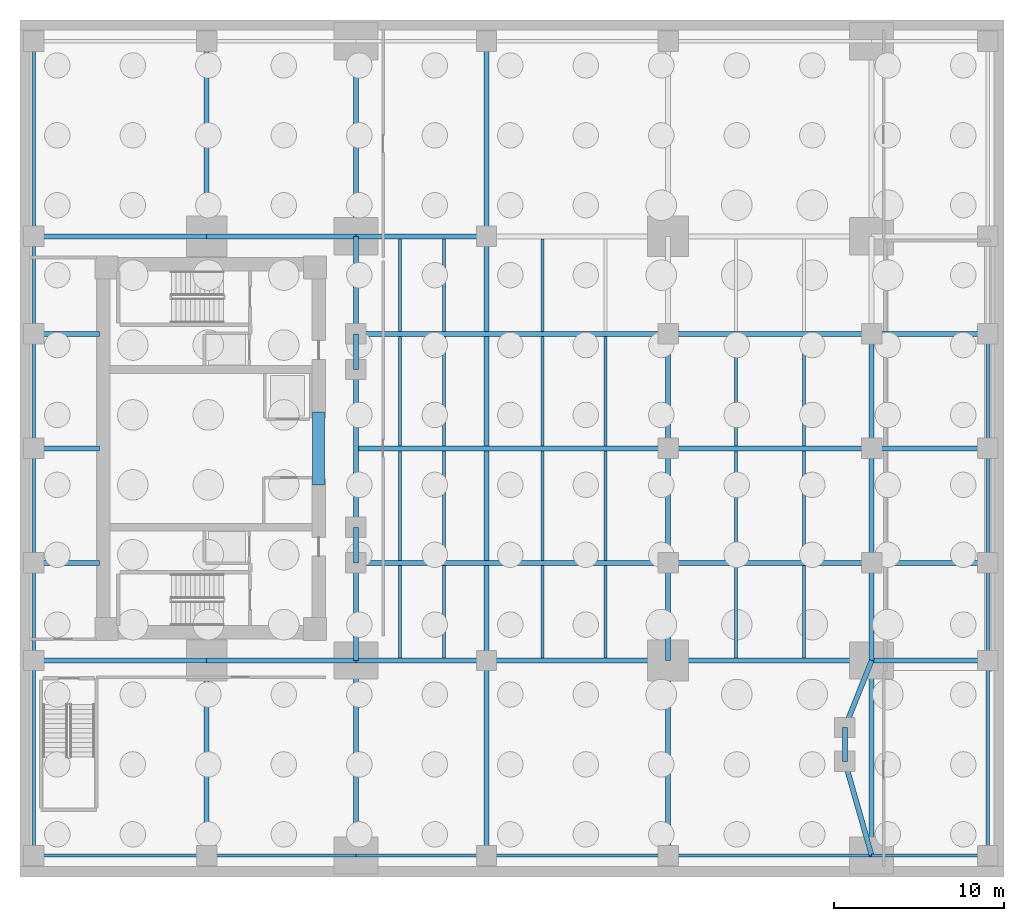
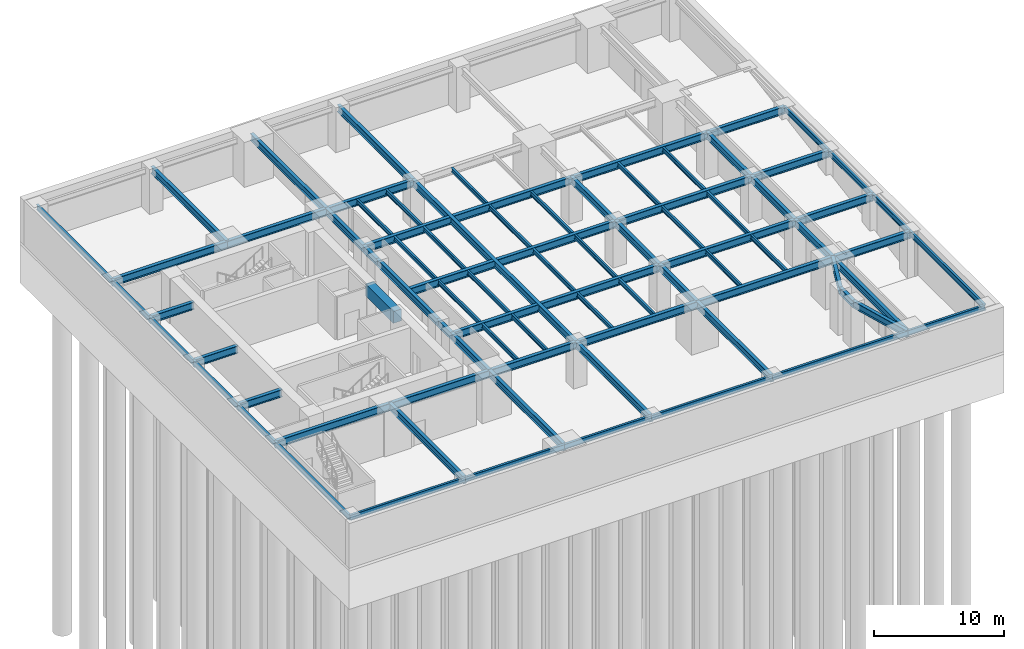
# One storey, part 2 of 6: 82 beams.
"""IFC4 building model written with IfcOpenShell, lengths in metres."""

from ifc_helpers import new_model, si_unit, direction, frame, origin, origin_2d, place, context, subcontext, project, spatial, rectangle, i_section, extrude, material, material_profile, profile_set, type_object, element, save


model = new_model("IFC4")

# Units and contexts
model_context = context("Model", 3, precision=1e-05, world=origin(), true_north=direction((0.0, 1.0)))
body_context = subcontext(model_context, "Body", "Model", "MODEL_VIEW")
ifc_project = project(units=[si_unit("LENGTHUNIT", "METRE"), si_unit("AREAUNIT", "SQUARE_METRE"), si_unit("VOLUMEUNIT", "CUBIC_METRE"), si_unit("PLANEANGLEUNIT", "RADIAN"), si_unit("MASSUNIT", "GRAM", prefix="KILO")], contexts=[model_context])

# Site, building, storey
site_placement = place(None, origin())
site = spatial("IfcSite", under=ifc_project, at=site_placement, CompositionType="ELEMENT")
building_placement = place(site_placement, origin())
building = spatial("IfcBuilding", under=site, at=building_placement, Name="Kinhvarn Gate Tower", CompositionType="ELEMENT")
storey_placement = place(building_placement, frame((0.0, 0.0, -13.199951171875)))
storey = spatial("IfcBuildingStorey", under=building, at=storey_placement, Name="B03", CompositionType="ELEMENT", Elevation=-13.199951171875)

# Beams
ifc_material_1 = material(Name="Concrete C70/85", Category="concrete")
ifc_material_profile_1 = material_profile(ifc_material_1, rectangle(XDim=0.699951171875, YDim=1.10009765625, at=origin_2d()), Name="RC 700x1100")
ifc_profile_set_1 = profile_set([ifc_material_profile_1], Name="Concrete C70/85")
beam_type_1 = type_object("IfcBeamType", Name="BM-CB-1100", PredefinedType="LINTEL", material=ifc_profile_set_1)
beam_1_placement = place(storey_placement, frame((17.60009765625, 23.10009765625, 3.449951171875), z_axis=(0.0, 1.0, 0.0), x_axis=(-1.0, 0.0, 0.0)))
element("IfcBeam", 1, at=beam_1_placement, inside=storey, type_object=beam_type_1, Name="Core East Portal Coupling Beam B03", PredefinedType="LINTEL", context=body_context, shape_type="SweptSolid", body=[
    extrude(rectangle(XDim=0.699951171875, YDim=1.10009765625, at=origin_2d()), origin(), (0.0, 0.0, 1.0), 4.2998046875),
])
ifc_material_2 = material(Name="Steel S355", Category="steel")
ifc_material_profile_2 = material_profile(ifc_material_2, i_section(OverallWidth=0.300048828125, OverallDepth=0.64990234375, WebThickness=0.01611328125, FlangeThickness=0.031005859375, at=origin_2d()), Name="HEB 650")
ifc_profile_set_2 = profile_set([ifc_material_profile_2], Name="Steel S355")
beam_type_2 = type_object("IfcBeamType", Name="STL-HEB650", PredefinedType="BEAM", material=ifc_profile_set_2)
beam_2_placement = place(storey_placement, frame((48.6201171875, 6.800048828125, 3.675048828125), z_axis=(0.273776643474, -0.961793298733, 0.0), x_axis=(0.961793298733, 0.273776643474, 0.0)))
element("IfcBeam", 2, at=beam_2_placement, inside=storey, type_object=beam_type_2, Name="Floor Beam PG-17 (B03 TIE-SE1-AP)", PredefinedType="BEAM", context=body_context, shape_type="SweptSolid", body=[
    extrude(i_section(OverallWidth=0.300048828125, OverallDepth=0.64990234375, WebThickness=0.01611328125, FlangeThickness=0.031005859375, at=origin_2d()), origin(), (0.0, 0.0, 1.0), 5.7705078125),
])
beam_3_placement = place(storey_placement, frame((48.6201171875, 6.800048828125, 3.675048828125), z_axis=(0.0, 1.0, 0.0), x_axis=(-1.0, 0.0, 0.0)))
element("IfcBeam", 3, at=beam_3_placement, inside=storey, type_object=beam_type_2, Name="Floor Beam PG-17 (B03 TIE-SE1-M)", PredefinedType="BEAM", context=body_context, shape_type="SweptSolid", body=[
    extrude(i_section(OverallWidth=0.300048828125, OverallDepth=0.64990234375, WebThickness=0.01611328125, FlangeThickness=0.031005859375, at=origin_2d()), origin(), (0.0, 0.0, 1.0), 2.0),
])
beam_4_placement = place(storey_placement, frame((48.6201171875, 8.800048828125, 3.675048828125), z_axis=(0.371360992457, 0.928488563894, 0.0), x_axis=(-0.928488563894, 0.371360992457, 0.0)))
element("IfcBeam", 4, at=beam_4_placement, inside=storey, type_object=beam_type_2, Name="Floor Beam PG-17 (B03 TIE-SE1-N)", PredefinedType="BEAM", context=body_context, shape_type="SweptSolid", body=[
    extrude(i_section(OverallWidth=0.300048828125, OverallDepth=0.64990234375, WebThickness=0.01611328125, FlangeThickness=0.031005859375, at=origin_2d()), origin(), (0.0, 0.0, 1.0), 4.254150390625),
])
for number, where, z_axis, x_axis, name in (
    (5, (11.0, 1.25, 3.675048828125), (0.0, 1.0, 0.0), (-1.0, 0.0, 0.0), "Floor Beam PG-17 (B03 NS11-S)"),
    (6, (11.0, 37.75, 3.675048828125), (0.0, 1.0, 0.0), (-1.0, 0.0, 0.0), "Floor Beam PG-17 (B03 NS11-N)"),
    (7, (19.800048828125, 1.25, 3.675048828125), (0.0, 1.0, 0.0), (-1.0, 0.0, 0.0), "Floor Beam PG-17 (B03 APW-1)"),
):
    element("IfcBeam", number, at=place(storey_placement, frame(where, z_axis=z_axis, x_axis=x_axis)), inside=storey, type_object=beam_type_2, Name=name, PredefinedType="BEAM", context=body_context, shape_type="SweptSolid", body=[
        extrude(i_section(OverallWidth=0.300048828125, OverallDepth=0.64990234375, WebThickness=0.01611328125, FlangeThickness=0.031005859375, at=origin_2d()), origin(), (0.0, 0.0, 1.0), 11.5),
    ])
beam_5_placement = place(storey_placement, frame((19.800048828125, 12.75, 3.675048828125), z_axis=(0.0, 1.0, 0.0), x_axis=(-1.0, 0.0, 0.0)))
element("IfcBeam", 8, at=beam_5_placement, inside=storey, type_object=beam_type_2, Name="Floor Beam PG-17 (B03 APW-2)", PredefinedType="BEAM", context=body_context, shape_type="SweptSolid", body=[
    extrude(i_section(OverallWidth=0.300048828125, OverallDepth=0.64990234375, WebThickness=0.01611328125, FlangeThickness=0.031005859375, at=origin_2d()), origin(), (0.0, 0.0, 1.0), 5.75),
])
beam_6_placement = place(storey_placement, frame((19.800048828125, 18.5, 3.675048828125), z_axis=(0.0, 1.0, 0.0), x_axis=(-1.0, 0.0, 0.0)))
element("IfcBeam", 9, at=beam_6_placement, inside=storey, type_object=beam_type_2, Name="Floor Beam PG-17 (B03 APW-3)", PredefinedType="BEAM", context=body_context, shape_type="SweptSolid", body=[
    extrude(i_section(OverallWidth=0.300048828125, OverallDepth=0.64990234375, WebThickness=0.01611328125, FlangeThickness=0.031005859375, at=origin_2d()), origin(), (0.0, 0.0, 1.0), 2.10009765625),
])
beam_7_placement = place(storey_placement, frame((19.800048828125, 20.60009765625, 3.675048828125), z_axis=(0.0, 1.0, 0.0), x_axis=(-1.0, 0.0, 0.0)))
element("IfcBeam", 10, at=beam_7_placement, inside=storey, type_object=beam_type_2, Name="Floor Beam PG-17 (B03 APW-4)", PredefinedType="BEAM", context=body_context, shape_type="SweptSolid", body=[
    extrude(i_section(OverallWidth=0.300048828125, OverallDepth=0.64990234375, WebThickness=0.01611328125, FlangeThickness=0.031005859375, at=origin_2d()), origin(), (0.0, 0.0, 1.0), 9.2998046875),
])
beam_8_placement = place(storey_placement, frame((19.800048828125, 29.89990234375, 3.675048828125), z_axis=(0.0, 1.0, 0.0), x_axis=(-1.0, 0.0, 0.0)))
element("IfcBeam", 11, at=beam_8_placement, inside=storey, type_object=beam_type_2, Name="Floor Beam PG-17 (B03 APW-5)", PredefinedType="BEAM", context=body_context, shape_type="SweptSolid", body=[
    extrude(i_section(OverallWidth=0.300048828125, OverallDepth=0.64990234375, WebThickness=0.01611328125, FlangeThickness=0.031005859375, at=origin_2d()), origin(), (0.0, 0.0, 1.0), 2.10009765625),
])
beam_9_placement = place(storey_placement, frame((19.800048828125, 32.0, 3.675048828125), z_axis=(0.0, 1.0, 0.0), x_axis=(-1.0, 0.0, 0.0)))
element("IfcBeam", 12, at=beam_9_placement, inside=storey, type_object=beam_type_2, Name="Floor Beam PG-17 (B03 APW-6)", PredefinedType="BEAM", context=body_context, shape_type="SweptSolid", body=[
    extrude(i_section(OverallWidth=0.300048828125, OverallDepth=0.64990234375, WebThickness=0.01611328125, FlangeThickness=0.031005859375, at=origin_2d()), origin(), (0.0, 0.0, 1.0), 5.75),
])
for number, where, z_axis, x_axis, name in (
    (13, (19.800048828125, 37.75, 3.675048828125), (0.0, 1.0, 0.0), (-1.0, 0.0, 0.0), "Floor Beam PG-17 (B03 APW-7)"),
    (14, (50.199951171875, 1.25, 3.675048828125), (0.0, 1.0, 0.0), (-1.0, 0.0, 0.0), "Floor Beam PG-17 (B03 APE-1)"),
):
    element("IfcBeam", number, at=place(storey_placement, frame(where, z_axis=z_axis, x_axis=x_axis)), inside=storey, type_object=beam_type_2, Name=name, PredefinedType="BEAM", context=body_context, shape_type="SweptSolid", body=[
        extrude(i_section(OverallWidth=0.300048828125, OverallDepth=0.64990234375, WebThickness=0.01611328125, FlangeThickness=0.031005859375, at=origin_2d()), origin(), (0.0, 0.0, 1.0), 11.5),
    ])
beam_10_placement = place(storey_placement, frame((50.199951171875, 12.75, 3.675048828125), z_axis=(0.0, 1.0, 0.0), x_axis=(-1.0, 0.0, 0.0)))
element("IfcBeam", 15, at=beam_10_placement, inside=storey, type_object=beam_type_2, Name="Floor Beam PG-17 (B03 APE-2)", PredefinedType="BEAM", context=body_context, shape_type="SweptSolid", body=[
    extrude(i_section(OverallWidth=0.300048828125, OverallDepth=0.64990234375, WebThickness=0.01611328125, FlangeThickness=0.031005859375, at=origin_2d()), origin(), (0.0, 0.0, 1.0), 5.75),
])
for number, where, z_axis, x_axis, name in (
    (16, (50.199951171875, 18.5, 3.675048828125), (0.0, 1.0, 0.0), (-1.0, 0.0, 0.0), "Floor Beam PG-17 (B03 APE-3)"),
    (17, (50.199951171875, 25.25, 3.675048828125), (0.0, 1.0, 0.0), (-1.0, 0.0, 0.0), "Floor Beam PG-17 (B03 APE-4)"),
):
    element("IfcBeam", number, at=place(storey_placement, frame(where, z_axis=z_axis, x_axis=x_axis)), inside=storey, type_object=beam_type_2, Name=name, PredefinedType="BEAM", context=body_context, shape_type="SweptSolid", body=[
        extrude(i_section(OverallWidth=0.300048828125, OverallDepth=0.64990234375, WebThickness=0.01611328125, FlangeThickness=0.031005859375, at=origin_2d()), origin(), (0.0, 0.0, 1.0), 6.75),
    ])
for number, where, z_axis, x_axis, name in (
    (18, (27.5, 1.25, 3.675048828125), (0.0, 1.0, 0.0), (-1.0, 0.0, 0.0), "Floor Beam PG-17 (B03 NS27-S)"),
    (19, (27.5, 37.75, 3.675048828125), (0.0, 1.0, 0.0), (-1.0, 0.0, 0.0), "Floor Beam PG-17 (B03 NS27-N)"),
    (20, (38.199951171875, 1.25, 3.675048828125), (0.0, 1.0, 0.0), (-1.0, 0.0, 0.0), "Floor Beam PG-17 (B03 NS38-S)"),
):
    element("IfcBeam", number, at=place(storey_placement, frame(where, z_axis=z_axis, x_axis=x_axis)), inside=storey, type_object=beam_type_2, Name=name, PredefinedType="BEAM", context=body_context, shape_type="SweptSolid", body=[
        extrude(i_section(OverallWidth=0.300048828125, OverallDepth=0.64990234375, WebThickness=0.01611328125, FlangeThickness=0.031005859375, at=origin_2d()), origin(), (0.0, 0.0, 1.0), 11.5),
    ])
beam_11_placement = place(storey_placement, frame((27.5, 12.75, 3.675048828125), z_axis=(0.0, 1.0, 0.0), x_axis=(-1.0, 0.0, 0.0)))
element("IfcBeam", 21, at=beam_11_placement, inside=storey, type_object=beam_type_2, Name="Floor Beam PG-17 (B03 NS27-M)", PredefinedType="BEAM", context=body_context, shape_type="SweptSolid", body=[
    extrude(i_section(OverallWidth=0.300048828125, OverallDepth=0.64990234375, WebThickness=0.01611328125, FlangeThickness=0.031005859375, at=origin_2d()), origin(), (0.0, 0.0, 1.0), 25.0),
])
beam_12_placement = place(storey_placement, frame((38.199951171875, 12.75, 3.675048828125), z_axis=(0.0, 1.0, 0.0), x_axis=(-1.0, 0.0, 0.0)))
element("IfcBeam", 22, at=beam_12_placement, inside=storey, type_object=beam_type_2, Name="Floor Beam PG-17 (B03 NS38-12)", PredefinedType="BEAM", context=body_context, shape_type="SweptSolid", body=[
    extrude(i_section(OverallWidth=0.300048828125, OverallDepth=0.64990234375, WebThickness=0.01611328125, FlangeThickness=0.031005859375, at=origin_2d()), origin(), (0.0, 0.0, 1.0), 5.75),
])
for number, where, z_axis, x_axis, name in (
    (23, (38.199951171875, 18.5, 3.675048828125), (0.0, 1.0, 0.0), (-1.0, 0.0, 0.0), "Floor Beam PG-17 (B03 NS38-18)"),
    (24, (38.199951171875, 25.25, 3.675048828125), (0.0, 1.0, 0.0), (-1.0, 0.0, 0.0), "Floor Beam PG-17 (B03 NS38-25)"),
):
    element("IfcBeam", number, at=place(storey_placement, frame(where, z_axis=z_axis, x_axis=x_axis)), inside=storey, type_object=beam_type_2, Name=name, PredefinedType="BEAM", context=body_context, shape_type="SweptSolid", body=[
        extrude(i_section(OverallWidth=0.300048828125, OverallDepth=0.64990234375, WebThickness=0.01611328125, FlangeThickness=0.031005859375, at=origin_2d()), origin(), (0.0, 0.0, 1.0), 6.75),
    ])
ifc_material_profile_3 = material_profile(ifc_material_2, i_section(OverallWidth=0.300048828125, OverallDepth=0.699951171875, WebThickness=0.01708984375, FlangeThickness=0.031982421875, at=origin_2d()), Name="HEB 700")
ifc_profile_set_3 = profile_set([ifc_material_profile_3], Name="Steel S355")
beam_type_3 = type_object("IfcBeamType", Name="STL-HEB700", PredefinedType="BEAM", material=ifc_profile_set_3)
beam_13_placement = place(storey_placement, frame((0.800048828125, 12.75, 3.64990234375), z_axis=(1.0, 0.0, 0.0), x_axis=(0.0, 1.0, 0.0)))
element("IfcBeam", 25, at=beam_13_placement, inside=storey, type_object=beam_type_3, Name="Floor Beam PG-18 (B03 SPS-1)", PredefinedType="BEAM", context=body_context, shape_type="SweptSolid", body=[
    extrude(i_section(OverallWidth=0.300048828125, OverallDepth=0.699951171875, WebThickness=0.01708984375, FlangeThickness=0.031982421875, at=origin_2d()), origin(), (0.0, 0.0, 1.0), 10.199951171875),
])
beam_14_placement = place(storey_placement, frame((11.0, 12.75, 3.64990234375), z_axis=(1.0, 0.0, 0.0), x_axis=(0.0, 1.0, 0.0)))
element("IfcBeam", 26, at=beam_14_placement, inside=storey, type_object=beam_type_3, Name="Floor Beam PG-18 (B03 SPS-2)", PredefinedType="BEAM", context=body_context, shape_type="SweptSolid", body=[
    extrude(i_section(OverallWidth=0.300048828125, OverallDepth=0.699951171875, WebThickness=0.01708984375, FlangeThickness=0.031982421875, at=origin_2d()), origin(), (0.0, 0.0, 1.0), 8.800048828125),
])
beam_15_placement = place(storey_placement, frame((50.199951171875, 12.75, 3.64990234375), z_axis=(1.0, 0.0, 0.0), x_axis=(0.0, 1.0, 0.0)))
element("IfcBeam", 27, at=beam_15_placement, inside=storey, type_object=beam_type_3, Name="Floor Beam PG-18 (B03 SPS-E)", PredefinedType="BEAM", context=body_context, shape_type="SweptSolid", body=[
    extrude(i_section(OverallWidth=0.300048828125, OverallDepth=0.699951171875, WebThickness=0.01708984375, FlangeThickness=0.031982421875, at=origin_2d()), origin(), (0.0, 0.0, 1.0), 6.85009765625),
])
beam_16_placement = place(storey_placement, frame((0.800048828125, 37.75, 3.64990234375), z_axis=(1.0, 0.0, 0.0), x_axis=(0.0, 1.0, 0.0)))
element("IfcBeam", 28, at=beam_16_placement, inside=storey, type_object=beam_type_3, Name="Floor Beam PG-18 (B03 SPN-1)", PredefinedType="BEAM", context=body_context, shape_type="SweptSolid", body=[
    extrude(i_section(OverallWidth=0.300048828125, OverallDepth=0.699951171875, WebThickness=0.01708984375, FlangeThickness=0.031982421875, at=origin_2d()), origin(), (0.0, 0.0, 1.0), 10.199951171875),
])
beam_17_placement = place(storey_placement, frame((11.0, 37.75, 3.64990234375), z_axis=(1.0, 0.0, 0.0), x_axis=(0.0, 1.0, 0.0)))
element("IfcBeam", 29, at=beam_17_placement, inside=storey, type_object=beam_type_3, Name="Floor Beam PG-18 (B03 SPN-2)", PredefinedType="BEAM", context=body_context, shape_type="SweptSolid", body=[
    extrude(i_section(OverallWidth=0.300048828125, OverallDepth=0.699951171875, WebThickness=0.01708984375, FlangeThickness=0.031982421875, at=origin_2d()), origin(), (0.0, 0.0, 1.0), 8.800048828125),
])
beam_18_placement = place(storey_placement, frame((0.800048828125, 18.5, 3.64990234375), z_axis=(1.0, 0.0, 0.0), x_axis=(0.0, 1.0, 0.0)))
element("IfcBeam", 30, at=beam_18_placement, inside=storey, type_object=beam_type_3, Name="Floor Beam PG-18 (B03 W-MID-18)", PredefinedType="BEAM", context=body_context, shape_type="SweptSolid", body=[
    extrude(i_section(OverallWidth=0.300048828125, OverallDepth=0.699951171875, WebThickness=0.01708984375, FlangeThickness=0.031982421875, at=origin_2d()), origin(), (0.0, 0.0, 1.0), 3.89990234375),
])
beam_19_placement = place(storey_placement, frame((50.199951171875, 18.5, 3.64990234375), z_axis=(1.0, 0.0, 0.0), x_axis=(0.0, 1.0, 0.0)))
element("IfcBeam", 31, at=beam_19_placement, inside=storey, type_object=beam_type_3, Name="Floor Beam PG-18 (B03 E-MID-18)", PredefinedType="BEAM", context=body_context, shape_type="SweptSolid", body=[
    extrude(i_section(OverallWidth=0.300048828125, OverallDepth=0.699951171875, WebThickness=0.01708984375, FlangeThickness=0.031982421875, at=origin_2d()), origin(), (0.0, 0.0, 1.0), 6.85009765625),
])
beam_20_placement = place(storey_placement, frame((0.800048828125, 25.25, 3.64990234375), z_axis=(1.0, 0.0, 0.0), x_axis=(0.0, 1.0, 0.0)))
element("IfcBeam", 32, at=beam_20_placement, inside=storey, type_object=beam_type_3, Name="Floor Beam PG-18 (B03 W-MID-25)", PredefinedType="BEAM", context=body_context, shape_type="SweptSolid", body=[
    extrude(i_section(OverallWidth=0.300048828125, OverallDepth=0.699951171875, WebThickness=0.01708984375, FlangeThickness=0.031982421875, at=origin_2d()), origin(), (0.0, 0.0, 1.0), 3.89990234375),
])
beam_21_placement = place(storey_placement, frame((50.199951171875, 25.25, 3.64990234375), z_axis=(1.0, 0.0, 0.0), x_axis=(0.0, 1.0, 0.0)))
element("IfcBeam", 33, at=beam_21_placement, inside=storey, type_object=beam_type_3, Name="Floor Beam PG-18 (B03 E-MID-25)", PredefinedType="BEAM", context=body_context, shape_type="SweptSolid", body=[
    extrude(i_section(OverallWidth=0.300048828125, OverallDepth=0.699951171875, WebThickness=0.01708984375, FlangeThickness=0.031982421875, at=origin_2d()), origin(), (0.0, 0.0, 1.0), 6.85009765625),
])
beam_22_placement = place(storey_placement, frame((0.800048828125, 32.0, 3.64990234375), z_axis=(1.0, 0.0, 0.0), x_axis=(0.0, 1.0, 0.0)))
element("IfcBeam", 34, at=beam_22_placement, inside=storey, type_object=beam_type_3, Name="Floor Beam PG-18 (B03 W-MID-32)", PredefinedType="BEAM", context=body_context, shape_type="SweptSolid", body=[
    extrude(i_section(OverallWidth=0.300048828125, OverallDepth=0.699951171875, WebThickness=0.01708984375, FlangeThickness=0.031982421875, at=origin_2d()), origin(), (0.0, 0.0, 1.0), 3.89990234375),
])
beam_23_placement = place(storey_placement, frame((50.199951171875, 32.0, 3.64990234375), z_axis=(1.0, 0.0, 0.0), x_axis=(0.0, 1.0, 0.0)))
element("IfcBeam", 35, at=beam_23_placement, inside=storey, type_object=beam_type_3, Name="Floor Beam PG-18 (B03 E-MID-32)", PredefinedType="BEAM", context=body_context, shape_type="SweptSolid", body=[
    extrude(i_section(OverallWidth=0.300048828125, OverallDepth=0.699951171875, WebThickness=0.01708984375, FlangeThickness=0.031982421875, at=origin_2d()), origin(), (0.0, 0.0, 1.0), 6.85009765625),
])
beam_24_placement = place(storey_placement, frame((19.800048828125, 12.75, 3.64990234375), z_axis=(1.0, 0.0, 0.0), x_axis=(0.0, 1.0, 0.0)))
element("IfcBeam", 36, at=beam_24_placement, inside=storey, type_object=beam_type_3, Name="Floor Beam PG-18 (B03 BM-S1)", PredefinedType="BEAM", context=body_context, shape_type="SweptSolid", body=[
    extrude(i_section(OverallWidth=0.300048828125, OverallDepth=0.699951171875, WebThickness=0.01708984375, FlangeThickness=0.031982421875, at=origin_2d()), origin(), (0.0, 0.0, 1.0), 7.699951171875),
])
beam_25_placement = place(storey_placement, frame((27.5, 12.75, 3.64990234375), z_axis=(1.0, 0.0, 0.0), x_axis=(0.0, 1.0, 0.0)))
element("IfcBeam", 37, at=beam_25_placement, inside=storey, type_object=beam_type_3, Name="Floor Beam PG-18 (B03 BM-S2)", PredefinedType="BEAM", context=body_context, shape_type="SweptSolid", body=[
    extrude(i_section(OverallWidth=0.300048828125, OverallDepth=0.699951171875, WebThickness=0.01708984375, FlangeThickness=0.031982421875, at=origin_2d()), origin(), (0.0, 0.0, 1.0), 10.699951171875),
])
beam_26_placement = place(storey_placement, frame((38.199951171875, 12.75, 3.64990234375), z_axis=(1.0, 0.0, 0.0), x_axis=(0.0, 1.0, 0.0)))
element("IfcBeam", 38, at=beam_26_placement, inside=storey, type_object=beam_type_3, Name="Floor Beam PG-18 (B03 BM-S3)", PredefinedType="BEAM", context=body_context, shape_type="SweptSolid", body=[
    extrude(i_section(OverallWidth=0.300048828125, OverallDepth=0.699951171875, WebThickness=0.01708984375, FlangeThickness=0.031982421875, at=origin_2d()), origin(), (0.0, 0.0, 1.0), 12.0),
])
beam_27_placement = place(storey_placement, frame((19.800048828125, 37.75, 3.64990234375), z_axis=(1.0, 0.0, 0.0), x_axis=(0.0, 1.0, 0.0)))
element("IfcBeam", 39, at=beam_27_placement, inside=storey, type_object=beam_type_3, Name="Floor Beam PG-18 (B03 BM-N1)", PredefinedType="BEAM", context=body_context, shape_type="SweptSolid", body=[
    extrude(i_section(OverallWidth=0.300048828125, OverallDepth=0.699951171875, WebThickness=0.01708984375, FlangeThickness=0.031982421875, at=origin_2d()), origin(), (0.0, 0.0, 1.0), 7.699951171875),
])
beam_28_placement = place(storey_placement, frame((19.800048828125, 18.5, 3.64990234375), z_axis=(1.0, 0.0, 0.0), x_axis=(0.0, 1.0, 0.0)))
element("IfcBeam", 40, at=beam_28_placement, inside=storey, type_object=beam_type_3, Name="Floor Beam PG-18 (B03 BM-EW1-18)", PredefinedType="BEAM", context=body_context, shape_type="SweptSolid", body=[
    extrude(i_section(OverallWidth=0.300048828125, OverallDepth=0.699951171875, WebThickness=0.01708984375, FlangeThickness=0.031982421875, at=origin_2d()), origin(), (0.0, 0.0, 1.0), 18.39990234375),
])
beam_29_placement = place(storey_placement, frame((38.199951171875, 18.5, 3.64990234375), z_axis=(1.0, 0.0, 0.0), x_axis=(0.0, 1.0, 0.0)))
element("IfcBeam", 41, at=beam_29_placement, inside=storey, type_object=beam_type_3, Name="Floor Beam PG-18 (B03 BM-EW2-18)", PredefinedType="BEAM", context=body_context, shape_type="SweptSolid", body=[
    extrude(i_section(OverallWidth=0.300048828125, OverallDepth=0.699951171875, WebThickness=0.01708984375, FlangeThickness=0.031982421875, at=origin_2d()), origin(), (0.0, 0.0, 1.0), 12.0),
])
beam_30_placement = place(storey_placement, frame((19.800048828125, 25.25, 3.64990234375), z_axis=(1.0, 0.0, 0.0), x_axis=(0.0, 1.0, 0.0)))
element("IfcBeam", 42, at=beam_30_placement, inside=storey, type_object=beam_type_3, Name="Floor Beam PG-18 (B03 BM-EW1-25)", PredefinedType="BEAM", context=body_context, shape_type="SweptSolid", body=[
    extrude(i_section(OverallWidth=0.300048828125, OverallDepth=0.699951171875, WebThickness=0.01708984375, FlangeThickness=0.031982421875, at=origin_2d()), origin(), (0.0, 0.0, 1.0), 18.39990234375),
])
beam_31_placement = place(storey_placement, frame((38.199951171875, 25.25, 3.64990234375), z_axis=(1.0, 0.0, 0.0), x_axis=(0.0, 1.0, 0.0)))
element("IfcBeam", 43, at=beam_31_placement, inside=storey, type_object=beam_type_3, Name="Floor Beam PG-18 (B03 BM-EW2-25)", PredefinedType="BEAM", context=body_context, shape_type="SweptSolid", body=[
    extrude(i_section(OverallWidth=0.300048828125, OverallDepth=0.699951171875, WebThickness=0.01708984375, FlangeThickness=0.031982421875, at=origin_2d()), origin(), (0.0, 0.0, 1.0), 12.0),
])
beam_32_placement = place(storey_placement, frame((19.800048828125, 32.0, 3.64990234375), z_axis=(1.0, 0.0, 0.0), x_axis=(0.0, 1.0, 0.0)))
element("IfcBeam", 44, at=beam_32_placement, inside=storey, type_object=beam_type_3, Name="Floor Beam PG-18 (B03 BM-EW1-32)", PredefinedType="BEAM", context=body_context, shape_type="SweptSolid", body=[
    extrude(i_section(OverallWidth=0.300048828125, OverallDepth=0.699951171875, WebThickness=0.01708984375, FlangeThickness=0.031982421875, at=origin_2d()), origin(), (0.0, 0.0, 1.0), 18.39990234375),
])
beam_33_placement = place(storey_placement, frame((38.199951171875, 32.0, 3.64990234375), z_axis=(1.0, 0.0, 0.0), x_axis=(0.0, 1.0, 0.0)))
element("IfcBeam", 45, at=beam_33_placement, inside=storey, type_object=beam_type_3, Name="Floor Beam PG-18 (B03 BM-EW2-32)", PredefinedType="BEAM", context=body_context, shape_type="SweptSolid", body=[
    extrude(i_section(OverallWidth=0.300048828125, OverallDepth=0.699951171875, WebThickness=0.01708984375, FlangeThickness=0.031982421875, at=origin_2d()), origin(), (0.0, 0.0, 1.0), 12.0),
])
ifc_material_profile_4 = material_profile(ifc_material_2, i_section(OverallWidth=0.179931640625, OverallDepth=0.39990234375, WebThickness=0.008544921875, FlangeThickness=0.013427734375, at=origin_2d()), Name="IPE 400")
ifc_profile_set_4 = profile_set([ifc_material_profile_4], Name="Steel S355")
beam_type_4 = type_object("IfcBeamType", Name="STL-IPE400", PredefinedType="JOIST", material=ifc_profile_set_4)
for number, where, z_axis, x_axis, name in (
    (46, (22.39990234375, 12.89990234375, 3.800048828125), (0.0, 1.0, 0.0), (-1.0, 0.0, 0.0), "Floor Joist SB-05 (B03 J224-12)"),
    (47, (25.0, 12.89990234375, 3.800048828125), (0.0, 1.0, 0.0), (-1.0, 0.0, 0.0), "Floor Joist SB-05 (B03 J250-12)"),
    (48, (30.800048828125, 12.89990234375, 3.800048828125), (0.0, 1.0, 0.0), (-1.0, 0.0, 0.0), "Floor Joist SB-05 (B03 J308-12)"),
    (49, (34.5, 12.89990234375, 3.800048828125), (0.0, 1.0, 0.0), (-1.0, 0.0, 0.0), "Floor Joist SB-05 (B03 J345-12)"),
    (50, (42.199951171875, 12.89990234375, 3.800048828125), (0.0, 1.0, 0.0), (-1.0, 0.0, 0.0), "Floor Joist SB-05 (B03 J422-12)"),
    (51, (46.199951171875, 12.89990234375, 3.800048828125), (0.0, 1.0, 0.0), (-1.0, 0.0, 0.0), "Floor Joist SB-05 (B03 J462-12)"),
):
    element("IfcBeam", number, at=place(storey_placement, frame(where, z_axis=z_axis, x_axis=x_axis)), inside=storey, type_object=beam_type_4, Name=name, PredefinedType="JOIST", context=body_context, shape_type="SweptSolid", body=[
        extrude(i_section(OverallWidth=0.179931640625, OverallDepth=0.39990234375, WebThickness=0.008544921875, FlangeThickness=0.013427734375, at=origin_2d()), origin(), (0.0, 0.0, 1.0), 5.4501953125),
    ])
for number, where, z_axis, x_axis, name in (
    (52, (22.39990234375, 18.64990234375, 3.800048828125), (0.0, 1.0, 0.0), (-1.0, 0.0, 0.0), "Floor Joist SB-05 (B03 J224-18)"),
    (53, (25.0, 18.64990234375, 3.800048828125), (0.0, 1.0, 0.0), (-1.0, 0.0, 0.0), "Floor Joist SB-05 (B03 J250-18)"),
    (54, (30.800048828125, 18.64990234375, 3.800048828125), (0.0, 1.0, 0.0), (-1.0, 0.0, 0.0), "Floor Joist SB-05 (B03 J308-18)"),
    (55, (34.5, 18.64990234375, 3.800048828125), (0.0, 1.0, 0.0), (-1.0, 0.0, 0.0), "Floor Joist SB-05 (B03 J345-18)"),
    (56, (42.199951171875, 18.64990234375, 3.800048828125), (0.0, 1.0, 0.0), (-1.0, 0.0, 0.0), "Floor Joist SB-05 (B03 J422-18)"),
    (57, (46.199951171875, 18.64990234375, 3.800048828125), (0.0, 1.0, 0.0), (-1.0, 0.0, 0.0), "Floor Joist SB-05 (B03 J462-18)"),
    (58, (22.39990234375, 25.39990234375, 3.800048828125), (0.0, 1.0, 0.0), (-1.0, 0.0, 0.0), "Floor Joist SB-05 (B03 J224-25)"),
    (59, (25.0, 25.39990234375, 3.800048828125), (0.0, 1.0, 0.0), (-1.0, 0.0, 0.0), "Floor Joist SB-05 (B03 J250-25)"),
    (60, (30.800048828125, 25.39990234375, 3.800048828125), (0.0, 1.0, 0.0), (-1.0, 0.0, 0.0), "Floor Joist SB-05 (B03 J308-25)"),
    (61, (34.5, 25.39990234375, 3.800048828125), (0.0, 1.0, 0.0), (-1.0, 0.0, 0.0), "Floor Joist SB-05 (B03 J345-25)"),
    (62, (42.199951171875, 25.39990234375, 3.800048828125), (0.0, 1.0, 0.0), (-1.0, 0.0, 0.0), "Floor Joist SB-05 (B03 J422-25)"),
    (63, (46.199951171875, 25.39990234375, 3.800048828125), (0.0, 1.0, 0.0), (-1.0, 0.0, 0.0), "Floor Joist SB-05 (B03 J462-25)"),
):
    element("IfcBeam", number, at=place(storey_placement, frame(where, z_axis=z_axis, x_axis=x_axis)), inside=storey, type_object=beam_type_4, Name=name, PredefinedType="JOIST", context=body_context, shape_type="SweptSolid", body=[
        extrude(i_section(OverallWidth=0.179931640625, OverallDepth=0.39990234375, WebThickness=0.008544921875, FlangeThickness=0.013427734375, at=origin_2d()), origin(), (0.0, 0.0, 1.0), 6.4501953125),
    ])
for number, where, z_axis, x_axis, name in (
    (64, (22.39990234375, 32.14990234375, 3.800048828125), (0.0, 1.0, 0.0), (-1.0, 0.0, 0.0), "Floor Joist SB-05 (B03 J224-32)"),
    (65, (25.0, 32.14990234375, 3.800048828125), (0.0, 1.0, 0.0), (-1.0, 0.0, 0.0), "Floor Joist SB-05 (B03 J250-32)"),
    (66, (30.800048828125, 32.14990234375, 3.800048828125), (0.0, 1.0, 0.0), (-1.0, 0.0, 0.0), "Floor Joist SB-05 (B03 J308-32)"),
):
    element("IfcBeam", number, at=place(storey_placement, frame(where, z_axis=z_axis, x_axis=x_axis)), inside=storey, type_object=beam_type_4, Name=name, PredefinedType="JOIST", context=body_context, shape_type="SweptSolid", body=[
        extrude(i_section(OverallWidth=0.179931640625, OverallDepth=0.39990234375, WebThickness=0.008544921875, FlangeThickness=0.013427734375, at=origin_2d()), origin(), (0.0, 0.0, 1.0), 5.4501953125),
    ])
ifc_material_profile_5 = material_profile(ifc_material_2, i_section(OverallWidth=0.199951171875, OverallDepth=0.5, WebThickness=0.01025390625, FlangeThickness=0.01611328125, at=origin_2d()), Name="IPE 500")
ifc_profile_set_5 = profile_set([ifc_material_profile_5], Name="Steel S355")
beam_type_5 = type_object("IfcBeamType", Name="STL-IPE500", PredefinedType="SPANDREL", material=ifc_profile_set_5)
for number, where, z_axis, x_axis, name in (
    (67, (0.800048828125, 1.25, 3.75), (0.0, 1.0, 0.0), (-1.0, 0.0, 0.0), "Floor Spandrel SB-07 (B03 PERW-1)"),
    (68, (57.050048828125, 1.25, 3.75), (0.0, 1.0, 0.0), (-1.0, 0.0, 0.0), "Floor Spandrel SB-07 (B03 PERE-1)"),
):
    element("IfcBeam", number, at=place(storey_placement, frame(where, z_axis=z_axis, x_axis=x_axis)), inside=storey, type_object=beam_type_5, Name=name, PredefinedType="SPANDREL", context=body_context, shape_type="SweptSolid", body=[
        extrude(i_section(OverallWidth=0.199951171875, OverallDepth=0.5, WebThickness=0.01025390625, FlangeThickness=0.01611328125, at=origin_2d()), origin(), (0.0, 0.0, 1.0), 11.5),
    ])
for number, where, z_axis, x_axis, name in (
    (69, (0.800048828125, 12.75, 3.75), (0.0, 1.0, 0.0), (-1.0, 0.0, 0.0), "Floor Spandrel SB-07 (B03 PERW-2)"),
    (70, (57.050048828125, 12.75, 3.75), (0.0, 1.0, 0.0), (-1.0, 0.0, 0.0), "Floor Spandrel SB-07 (B03 PERE-2)"),
):
    element("IfcBeam", number, at=place(storey_placement, frame(where, z_axis=z_axis, x_axis=x_axis)), inside=storey, type_object=beam_type_5, Name=name, PredefinedType="SPANDREL", context=body_context, shape_type="SweptSolid", body=[
        extrude(i_section(OverallWidth=0.199951171875, OverallDepth=0.5, WebThickness=0.01025390625, FlangeThickness=0.01611328125, at=origin_2d()), origin(), (0.0, 0.0, 1.0), 5.75),
    ])
for number, where, z_axis, x_axis, name in (
    (71, (0.800048828125, 18.5, 3.75), (0.0, 1.0, 0.0), (-1.0, 0.0, 0.0), "Floor Spandrel SB-07 (B03 PERW-3)"),
    (72, (57.050048828125, 18.5, 3.75), (0.0, 1.0, 0.0), (-1.0, 0.0, 0.0), "Floor Spandrel SB-07 (B03 PERE-3)"),
    (73, (0.800048828125, 25.25, 3.75), (0.0, 1.0, 0.0), (-1.0, 0.0, 0.0), "Floor Spandrel SB-07 (B03 PERW-4)"),
    (74, (57.050048828125, 25.25, 3.75), (0.0, 1.0, 0.0), (-1.0, 0.0, 0.0), "Floor Spandrel SB-07 (B03 PERE-4)"),
):
    element("IfcBeam", number, at=place(storey_placement, frame(where, z_axis=z_axis, x_axis=x_axis)), inside=storey, type_object=beam_type_5, Name=name, PredefinedType="SPANDREL", context=body_context, shape_type="SweptSolid", body=[
        extrude(i_section(OverallWidth=0.199951171875, OverallDepth=0.5, WebThickness=0.01025390625, FlangeThickness=0.01611328125, at=origin_2d()), origin(), (0.0, 0.0, 1.0), 6.75),
    ])
beam_34_placement = place(storey_placement, frame((0.800048828125, 32.0, 3.75), z_axis=(0.0, 1.0, 0.0), x_axis=(-1.0, 0.0, 0.0)))
element("IfcBeam", 75, at=beam_34_placement, inside=storey, type_object=beam_type_5, Name="Floor Spandrel SB-07 (B03 PERW-5)", PredefinedType="SPANDREL", context=body_context, shape_type="SweptSolid", body=[
    extrude(i_section(OverallWidth=0.199951171875, OverallDepth=0.5, WebThickness=0.01025390625, FlangeThickness=0.01611328125, at=origin_2d()), origin(), (0.0, 0.0, 1.0), 5.75),
])
beam_35_placement = place(storey_placement, frame((0.800048828125, 37.75, 3.75), z_axis=(0.0, 1.0, 0.0), x_axis=(-1.0, 0.0, 0.0)))
element("IfcBeam", 76, at=beam_35_placement, inside=storey, type_object=beam_type_5, Name="Floor Spandrel SB-07 (B03 PERW-6)", PredefinedType="SPANDREL", context=body_context, shape_type="SweptSolid", body=[
    extrude(i_section(OverallWidth=0.199951171875, OverallDepth=0.5, WebThickness=0.01025390625, FlangeThickness=0.01611328125, at=origin_2d()), origin(), (0.0, 0.0, 1.0), 11.5),
])
beam_36_placement = place(storey_placement, frame((0.800048828125, 1.25, 3.75), z_axis=(1.0, 0.0, 0.0), x_axis=(0.0, 1.0, 0.0)))
element("IfcBeam", 77, at=beam_36_placement, inside=storey, type_object=beam_type_5, Name="Floor Spandrel SB-07 (B03 SP-POD-SW1)", PredefinedType="SPANDREL", context=body_context, shape_type="SweptSolid", body=[
    extrude(i_section(OverallWidth=0.199951171875, OverallDepth=0.5, WebThickness=0.01025390625, FlangeThickness=0.01611328125, at=origin_2d()), origin(), (0.0, 0.0, 1.0), 10.199951171875),
])
beam_37_placement = place(storey_placement, frame((11.0, 1.25, 3.75), z_axis=(1.0, 0.0, 0.0), x_axis=(0.0, 1.0, 0.0)))
element("IfcBeam", 78, at=beam_37_placement, inside=storey, type_object=beam_type_5, Name="Floor Spandrel SB-07 (B03 SP-POD-SW2)", PredefinedType="SPANDREL", context=body_context, shape_type="SweptSolid", body=[
    extrude(i_section(OverallWidth=0.199951171875, OverallDepth=0.5, WebThickness=0.01025390625, FlangeThickness=0.01611328125, at=origin_2d()), origin(), (0.0, 0.0, 1.0), 8.800048828125),
])
beam_38_placement = place(storey_placement, frame((50.199951171875, 1.25, 3.75), z_axis=(1.0, 0.0, 0.0), x_axis=(0.0, 1.0, 0.0)))
element("IfcBeam", 79, at=beam_38_placement, inside=storey, type_object=beam_type_5, Name="Floor Spandrel SB-07 (B03 SP-POD-SE)", PredefinedType="SPANDREL", context=body_context, shape_type="SweptSolid", body=[
    extrude(i_section(OverallWidth=0.199951171875, OverallDepth=0.5, WebThickness=0.01025390625, FlangeThickness=0.01611328125, at=origin_2d()), origin(), (0.0, 0.0, 1.0), 6.85009765625),
])
beam_39_placement = place(storey_placement, frame((19.800048828125, 1.25, 3.75), z_axis=(1.0, 0.0, 0.0), x_axis=(0.0, 1.0, 0.0)))
element("IfcBeam", 80, at=beam_39_placement, inside=storey, type_object=beam_type_5, Name="Floor Spandrel SB-07 (B03 BS-SP1)", PredefinedType="SPANDREL", context=body_context, shape_type="SweptSolid", body=[
    extrude(i_section(OverallWidth=0.199951171875, OverallDepth=0.5, WebThickness=0.01025390625, FlangeThickness=0.01611328125, at=origin_2d()), origin(), (0.0, 0.0, 1.0), 7.699951171875),
])
beam_40_placement = place(storey_placement, frame((27.5, 1.25, 3.75), z_axis=(1.0, 0.0, 0.0), x_axis=(0.0, 1.0, 0.0)))
element("IfcBeam", 81, at=beam_40_placement, inside=storey, type_object=beam_type_5, Name="Floor Spandrel SB-07 (B03 BS-SP2)", PredefinedType="SPANDREL", context=body_context, shape_type="SweptSolid", body=[
    extrude(i_section(OverallWidth=0.199951171875, OverallDepth=0.5, WebThickness=0.01025390625, FlangeThickness=0.01611328125, at=origin_2d()), origin(), (0.0, 0.0, 1.0), 10.699951171875),
])
beam_41_placement = place(storey_placement, frame((38.199951171875, 1.25, 3.75), z_axis=(1.0, 0.0, 0.0), x_axis=(0.0, 1.0, 0.0)))
element("IfcBeam", 82, at=beam_41_placement, inside=storey, type_object=beam_type_5, Name="Floor Spandrel SB-07 (B03 BS-SP3)", PredefinedType="SPANDREL", context=body_context, shape_type="SweptSolid", body=[
    extrude(i_section(OverallWidth=0.199951171875, OverallDepth=0.5, WebThickness=0.01025390625, FlangeThickness=0.01611328125, at=origin_2d()), origin(), (0.0, 0.0, 1.0), 12.0),
])

save(model, "model.ifc")
